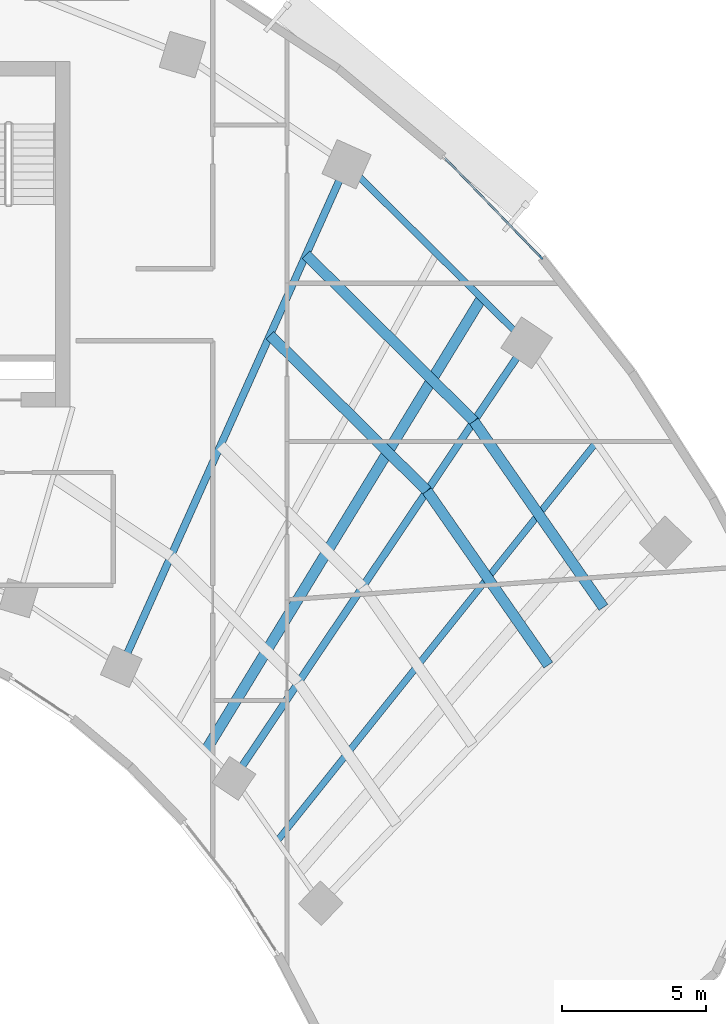
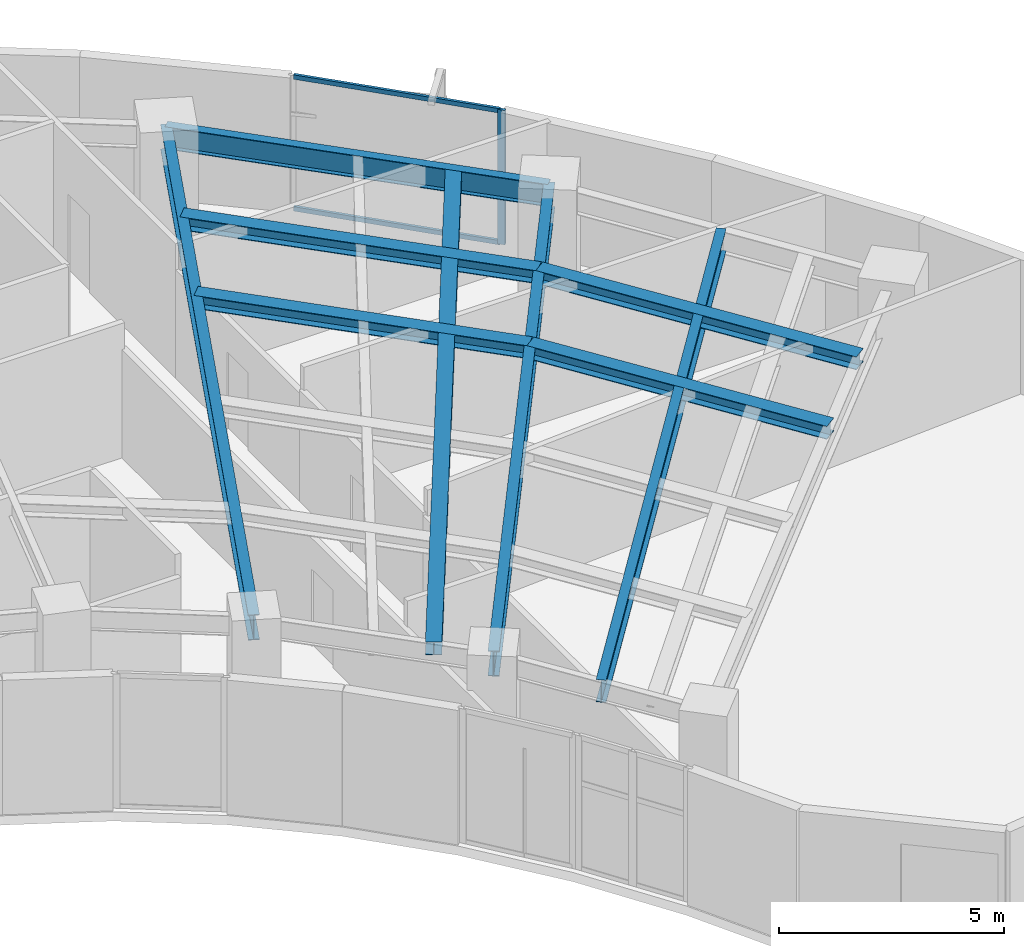
# One storey, part 4 of 13: 9 beams, 3 members, 1 element without a shape of its own.
"""IFC4 building model written with IfcOpenShell, lengths in metres."""

from ifc_helpers import new_model, si_unit, direction, frame, origin, origin_2d, place, context, subcontext, project, spatial, rectangle, i_section, extrude, source, transform, mapped, material, layer, layer_set, material_profile, profile_set, type_object, element, aggregate, save


model = new_model("IFC4")

# Units and contexts
model_context = context("Model", 3, precision=1e-05, world=origin(), true_north=direction((0.0, 1.0)))
body_context = subcontext(model_context, "Body", "Model", "MODEL_VIEW")
ifc_project = project(units=[si_unit("LENGTHUNIT", "METRE"), si_unit("AREAUNIT", "SQUARE_METRE"), si_unit("VOLUMEUNIT", "CUBIC_METRE"), si_unit("PLANEANGLEUNIT", "RADIAN"), si_unit("MASSUNIT", "GRAM", prefix="KILO")], contexts=[model_context])

# Site, building, storey
site_placement = place(None, origin())
site = spatial("IfcSite", under=ifc_project, at=site_placement, CompositionType="ELEMENT")
building_placement = place(site_placement, origin())
building = spatial("IfcBuilding", under=site, at=building_placement, Name="Breltana Convention Tower", CompositionType="ELEMENT")
storey_placement = place(building_placement, frame((0.0, 0.0, 96.0)))
storey = spatial("IfcBuildingStorey", under=building, at=storey_placement, Name="L22", CompositionType="ELEMENT", Elevation=96.0)

# Beams
ifc_material_1 = material(Name="Steel ASTM A992 Grade 50", Category="steel")
ifc_material_profile_1 = material_profile(ifc_material_1, i_section(OverallWidth=0.25390625, OverallDepth=0.68798828125, WebThickness=0.01318359375, FlangeThickness=0.02099609375, at=origin_2d()), Name="W27X102")
ifc_profile_set_1 = profile_set([ifc_material_profile_1], Name="Steel ASTM A992 Grade 50")
beam_type_1 = type_object("IfcBeamType", Name="BM-RG-W27X102", PredefinedType="USERDEFINED", material=ifc_profile_set_1)
shared_shape_1 = source(origin(), body_context, "Body", "SweptSolid", [
    extrude(i_section(OverallWidth=0.25390625, OverallDepth=0.68798828125, WebThickness=0.01318359375, FlangeThickness=0.02099609375, at=origin_2d()), origin(), (0.0, 0.0, 1.0), 19.133544921875),
])
beam_1_placement = place(storey_placement, frame((61.08203125, 51.174560546875, 3.305908203125), z_axis=(0.409144564164, 0.912469575172, 0.0), x_axis=(-0.912469575172, 0.409144564164, 0.0)))
element("IfcBeam", 1, at=beam_1_placement, inside=storey, type_object=beam_type_1, Name="L22 Radial Floor Girder R09", ObjectType="GIRDER", PredefinedType="USERDEFINED", context=body_context, shape_type="MappedRepresentation", body=[
    mapped(shared_shape_1, transform((0.0, 0.0, 0.0), scale=1.0)),
])
shared_shape_2 = source(origin(), body_context, "Body", "SweptSolid", [
    extrude(i_section(OverallWidth=0.25390625, OverallDepth=0.68798828125, WebThickness=0.01318359375, FlangeThickness=0.02099609375, at=origin_2d()), origin(), (0.0, 0.0, 1.0), 18.236328125),
])
beam_2_placement = place(storey_placement, frame((64.995849609375, 47.293701171875, 3.305908203125), z_axis=(0.557730360975, 0.830022195153, 0.0), x_axis=(-0.830022195153, 0.557730360975, 0.0)))
element("IfcBeam", 2, at=beam_2_placement, inside=storey, type_object=beam_type_1, Name="L22 Radial Floor Girder R10", ObjectType="GIRDER", PredefinedType="USERDEFINED", context=body_context, shape_type="MappedRepresentation", body=[
    mapped(shared_shape_2, transform((0.0, 0.0, 0.0), scale=1.0)),
])
ifc_material_profile_2 = material_profile(ifc_material_1, i_section(OverallWidth=0.22802734375, OverallDepth=0.60791015625, WebThickness=0.01123046875, FlangeThickness=0.017333984375, at=origin_2d()), Name="W24X76")
ifc_profile_set_2 = profile_set([ifc_material_profile_2], Name="Steel ASTM A992 Grade 50")
beam_type_2 = type_object("IfcBeamType", Name="BM-SP-W24X76", PredefinedType="SPANDREL", material=ifc_profile_set_2)
shared_shape_3 = source(origin(), body_context, "Body", "SweptSolid", [
    extrude(i_section(OverallWidth=0.22802734375, OverallDepth=0.60791015625, WebThickness=0.01123046875, FlangeThickness=0.017333984375, at=origin_2d()), origin(), (0.0, 0.0, 1.0), 8.810302734375),
])
beam_3_placement = place(storey_placement, frame((68.910400390625, 68.63330078125, 3.345947265625), z_axis=(0.710120823582, -0.704079836322, 0.0), x_axis=(0.704079836322, 0.710120823582, 0.0)))
element("IfcBeam", 3, at=beam_3_placement, inside=storey, type_object=beam_type_2, Name="L22 Outer Spandrel Beam 09", PredefinedType="SPANDREL", context=body_context, shape_type="MappedRepresentation", body=[
    mapped(shared_shape_3, transform((0.0, 0.0, 0.0), scale=1.0)),
])
ifc_material_profile_3 = material_profile(ifc_material_1, i_section(OverallWidth=0.368896484375, OverallDepth=0.35595703125, WebThickness=0.01123046875, FlangeThickness=0.01806640625, at=origin_2d()), Name="W14X90")
ifc_profile_set_3 = profile_set([ifc_material_profile_3], Name="Steel ASTM A992 Grade 50")
beam_type_3 = type_object("IfcBeamType", Name="BM-JSG-09", PredefinedType="JOIST", material=ifc_profile_set_3)
shared_shape_4 = source(origin(), body_context, "Body", "SweptSolid", [
    extrude(i_section(OverallWidth=0.368896484375, OverallDepth=0.35595703125, WebThickness=0.01123046875, FlangeThickness=0.01806640625, at=origin_2d()), origin(), (0.0, 0.0, 1.0), 7.688720703125),
])
beam_4_placement = place(storey_placement, frame((66.248779296875, 62.697265625, 3.471923828125), z_axis=(0.710101109809, -0.704099718682, 0.0), x_axis=(0.704099718682, 0.710101109809, 0.0)))
element("IfcBeam", 4, at=beam_4_placement, inside=storey, type_object=beam_type_3, Name="L22 Composite Floor Joist 09.3", PredefinedType="JOIST", context=body_context, shape_type="MappedRepresentation", body=[
    mapped(shared_shape_4, transform((0.0, 0.0, 0.0), scale=1.0)),
])
shared_shape_5 = source(origin(), body_context, "Body", "SweptSolid", [
    extrude(i_section(OverallWidth=0.368896484375, OverallDepth=0.35595703125, WebThickness=0.01123046875, FlangeThickness=0.01806640625, at=origin_2d()), origin(), (0.0, 0.0, 1.0), 8.21630859375),
])
beam_5_placement = place(storey_placement, frame((67.50146484375, 65.49072265625, 3.471923828125), z_axis=(0.710101511063, -0.704099314008, 0.0), x_axis=(0.704099314008, 0.710101511063, 0.0)))
element("IfcBeam", 5, at=beam_5_placement, inside=storey, type_object=beam_type_3, Name="L22 Composite Floor Joist 09.4", PredefinedType="JOIST", context=body_context, shape_type="MappedRepresentation", body=[
    mapped(shared_shape_5, transform((0.0, 0.0, 0.0), scale=1.0)),
])
shared_shape_6 = source(origin(), body_context, "Body", "SweptSolid", [
    extrude(i_section(OverallWidth=0.368896484375, OverallDepth=0.35595703125, WebThickness=0.01123046875, FlangeThickness=0.01806640625, at=origin_2d()), origin(), (0.0, 0.0, 1.0), 18.409423828125),
])
beam_6_placement = place(storey_placement, frame((64.017333984375, 48.263916015625, 3.471923828125), z_axis=(0.520682167606, 0.853750596098, 0.0), x_axis=(-0.853750596098, 0.520682167606, 0.0)))
element("IfcBeam", 6, at=beam_6_placement, inside=storey, type_object=beam_type_3, Name="L22 Quarter-Bay Radial Trimmer 09", PredefinedType="JOIST", context=body_context, shape_type="MappedRepresentation", body=[
    mapped(shared_shape_6, transform((0.0, 0.0, 0.0), scale=1.0)),
])
shared_shape_7 = source(origin(), body_context, "Body", "SweptSolid", [
    extrude(i_section(OverallWidth=0.368896484375, OverallDepth=0.35595703125, WebThickness=0.01123046875, FlangeThickness=0.01806640625, at=origin_2d()), origin(), (0.0, 0.0, 1.0), 7.374267578125),
])
beam_7_placement = place(storey_placement, frame((71.70849609375, 57.28369140625, 3.471923828125), z_axis=(0.571229379406, -0.820790470281, 0.0), x_axis=(0.820790470281, 0.571229379406, 0.0)))
element("IfcBeam", 7, at=beam_7_placement, inside=storey, type_object=beam_type_3, Name="L22 Composite Floor Joist 10.3", PredefinedType="JOIST", context=body_context, shape_type="MappedRepresentation", body=[
    mapped(shared_shape_7, transform((0.0, 0.0, 0.0), scale=1.0)),
])
shared_shape_8 = source(origin(), body_context, "Body", "SweptSolid", [
    extrude(i_section(OverallWidth=0.368896484375, OverallDepth=0.35595703125, WebThickness=0.01123046875, FlangeThickness=0.01806640625, at=origin_2d()), origin(), (0.0, 0.0, 1.0), 7.88037109375),
])
beam_8_placement = place(storey_placement, frame((73.3359375, 59.70556640625, 3.471923828125), z_axis=(0.571197916304, -0.820812366141, 0.0), x_axis=(0.820812366141, 0.571197916304, 0.0)))
element("IfcBeam", 8, at=beam_8_placement, inside=storey, type_object=beam_type_3, Name="L22 Composite Floor Joist 10.4", PredefinedType="JOIST", context=body_context, shape_type="MappedRepresentation", body=[
    mapped(shared_shape_8, transform((0.0, 0.0, 0.0), scale=1.0)),
])
ifc_material_profile_4 = material_profile(ifc_material_1, i_section(OverallWidth=0.22802734375, OverallDepth=0.60791015625, WebThickness=0.01123046875, FlangeThickness=0.017333984375, at=origin_2d()), Name="W24X76")
ifc_profile_set_4 = profile_set([ifc_material_profile_4], Name="Steel ASTM A992 Grade 50")
beam_type_4 = type_object("IfcBeamType", Name="BM-JSG-02", PredefinedType="JOIST", material=ifc_profile_set_4)
shared_shape_9 = source(origin(), body_context, "Body", "SweptSolid", [
    extrude(i_section(OverallWidth=0.22802734375, OverallDepth=0.60791015625, WebThickness=0.01123046875, FlangeThickness=0.017333984375, at=origin_2d()), origin(), (0.0, 0.0, 1.0), 17.7236328125),
])
beam_9_placement = place(storey_placement, frame((66.505615234375, 45.124267578125, 3.345947265625), z_axis=(0.624829427563, 0.78076128647, 0.0), x_axis=(-0.78076128647, 0.624829427563, 0.0)))
element("IfcBeam", 9, at=beam_9_placement, inside=storey, type_object=beam_type_4, Name="L22 Mid-Bay Radial Trimmer 10", PredefinedType="JOIST", context=body_context, shape_type="MappedRepresentation", body=[
    mapped(shared_shape_9, transform((0.0, 0.0, 0.0), scale=1.0)),
])

# Curtain wall, members
ifc_material_2 = material(Name="Aluminium Anodised Bronze Frame", Category="aluminium")
ifc_layer = layer(ifc_material_2, 0.22998046875, Name="Aluminium Anodised Bronze Frame")
ifc_layer_set = layer_set([ifc_layer], Name="Aluminium Anodised Bronze Frame")
curtain_wall_type = type_object("IfcCurtainWallType", Name="CW-SYS-5", PredefinedType="NOTDEFINED", material=ifc_layer_set)
curtain_wall_placement = place(storey_placement, origin())
curtain_wall = element("IfcCurtainWall", 10, at=curtain_wall_placement, inside=storey, type_object=curtain_wall_type, Name="L22 outer double-skin inner glazing 4", PredefinedType="NOTDEFINED")
ifc_material_3 = material(Name="Aluminium Anodised Bronze", Category="aluminium")
ifc_material_profile_5 = material_profile(ifc_material_3, rectangle(XDim=0.070068359375, YDim=0.175048828125, at=origin_2d()), Name="CWM-70X175")
ifc_profile_set_5 = profile_set([ifc_material_profile_5], Name="Aluminium Anodised Bronze")
member_type_1 = type_object("IfcMemberType", Name="CWM-175", PredefinedType="MULLION", material=ifc_profile_set_5)
shared_shape_10 = source(origin(), body_context, "Body", "SweptSolid", [
    extrude(rectangle(XDim=0.070068359375, YDim=0.175048828125, at=origin_2d()), origin(), (0.0, 0.0, 1.0), 3.64990234375),
])
member_1_placement = place(storey_placement, frame((75.660400390625, 65.401611328125, 0.0), z_axis=(0.0, 0.0, 1.0), x_axis=(0.719384961558, 0.694611601605, 0.0)))
member_1 = element("IfcMember", 11, at=member_1_placement, type_object=member_type_1, Name="CW-05 mullion 2", PredefinedType="MULLION", context=body_context, shape_type="MappedRepresentation", body=[
    mapped(shared_shape_10, transform((0.0, 0.0, 0.0), scale=1.0)),
])
ifc_material_profile_6 = material_profile(ifc_material_3, rectangle(XDim=0.070068359375, YDim=0.1201171875, at=origin_2d()), Name="CWT-70X120")
ifc_profile_set_6 = profile_set([ifc_material_profile_6], Name="Aluminium Anodised Bronze")
member_type_2 = type_object("IfcMemberType", Name="CWT-120", PredefinedType="USERDEFINED", material=ifc_profile_set_6)
shared_shape_11 = source(origin(), body_context, "Body", "SweptSolid", [
    extrude(rectangle(XDim=0.070068359375, YDim=0.1201171875, at=origin_2d()), origin(), (0.0, 0.0, 1.0), 4.7685546875),
])
member_2_placement = place(storey_placement, frame((72.323974609375, 68.857177734375, 0.034912109375), z_axis=(0.694608218982, -0.719388227679, 0.0), x_axis=(0.719388227679, 0.694608218982, 0.0)))
member_2 = element("IfcMember", 12, at=member_2_placement, type_object=member_type_2, Name="CW-05 transom 1.1", ObjectType="TRANSOM", PredefinedType="USERDEFINED", context=body_context, shape_type="MappedRepresentation", body=[
    mapped(shared_shape_11, transform((0.0, 0.0, 0.0), scale=1.0)),
])
member_3_placement = place(storey_placement, frame((72.323974609375, 68.857177734375, 3.614990234375), z_axis=(0.694608218982, -0.719388227679, 0.0), x_axis=(0.719388227679, 0.694608218982, 0.0)))
member_3 = element("IfcMember", 13, at=member_3_placement, type_object=member_type_2, Name="CW-05 transom 1.2", ObjectType="TRANSOM", PredefinedType="USERDEFINED", context=body_context, shape_type="MappedRepresentation", body=[
    mapped(shared_shape_11, transform((0.0, 0.0, 0.0), scale=1.0)),
])
aggregate(curtain_wall, [member_1, member_2, member_3])

save(model, "model.ifc")
